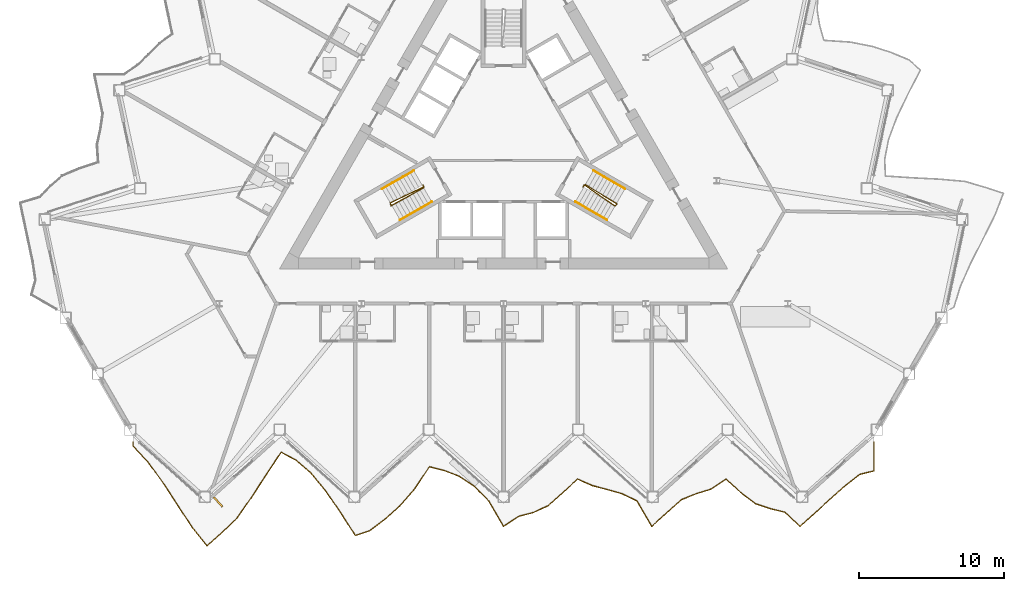
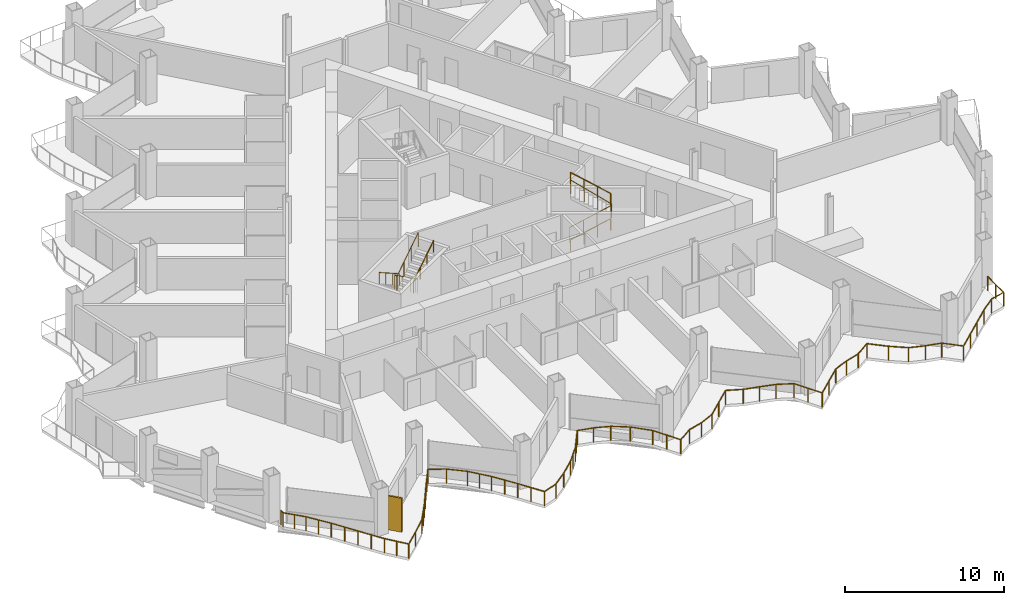
# One storey, part 19 of 23: 7 railings, 1 shading device.
"""IFC4 building model written with IfcOpenShell, lengths in metres."""

from ifc_helpers import new_model, si_unit, direction, frame, origin, origin_2d, place, context, subcontext, project, spatial, rectangle, circle, extrude, material, layer, layer_set, type_object, element, save


model = new_model("IFC4")

# Units and contexts
model_context = context("Model", 3, precision=1e-05, world=origin(), true_north=direction((0.0, 1.0)))
body_context = subcontext(model_context, "Body", "Model", "MODEL_VIEW")
ifc_project = project(units=[si_unit("LENGTHUNIT", "METRE"), si_unit("AREAUNIT", "SQUARE_METRE"), si_unit("VOLUMEUNIT", "CUBIC_METRE"), si_unit("PLANEANGLEUNIT", "RADIAN"), si_unit("MASSUNIT", "GRAM", prefix="KILO")], contexts=[model_context])

# Site, building, storey
site_placement = place(None, origin())
site = spatial("IfcSite", under=ifc_project, at=site_placement, CompositionType="ELEMENT")
building_placement = place(site_placement, origin())
building = spatial("IfcBuilding", under=site, at=building_placement, Name="Cormorant Prow Tower", CompositionType="ELEMENT")
storey_placement = place(building_placement, frame((0.0, 0.0, 187.199951171875)))
storey = spatial("IfcBuildingStorey", under=building, at=storey_placement, Name="L40", CompositionType="ELEMENT", Elevation=187.199951171875)

# Railings
ifc_material_1 = material(Name="Aluminium 6063-T6", Category="aluminium")
railing_type_1 = type_object("IfcRailingType", Name="Balcony guard 1100", PredefinedType="GUARDRAIL", material=ifc_material_1)
railing_1_placement = place(storey_placement, frame((-25.635498046875, -20.921630859375, 0.0)))
element("IfcRailing", 1, at=railing_1_placement, inside=storey, type_object=railing_type_1, Name="Balcony guard S", PredefinedType="GUARDRAIL", context=body_context, shape_type="SweptSolid", body=[
    extrude(circle(Radius=0.02392578125, at=origin_2d()), frame((0.0, 0.0, 1.076171875), z_axis=(0.0, -1.0, 0.0), x_axis=(1.0, 0.0, 0.0)), (0.0, 0.0, 1.0), 0.27001953125),
    extrude(circle(Radius=0.02392578125, at=origin_2d()), frame((0.0, -0.27001953125, 1.076171875), z_axis=(0.681103942477, -0.732186738163, 0.0), x_axis=(0.732186738163, 0.681103942477, 0.0)), (0.0, 0.0, 1.0), 1.50537109375),
    extrude(circle(Radius=0.02392578125, at=origin_2d()), frame((1.025390625, -1.372314453125, 1.076171875), z_axis=(0.588371589744, -0.808590670477, 0.0), x_axis=(0.808590670477, 0.588371589744, 0.0)), (0.0, 0.0, 1.0), 1.74267578125),
    extrude(circle(Radius=0.02392578125, at=origin_2d()), frame((2.05078125, -2.781494140625, 1.076171875), z_axis=(0.545138894856, -0.838345743304, 0.0), x_axis=(0.838345743304, 0.545138894856, 0.0)), (0.0, 0.0, 1.0), 1.880859375),
    extrude(circle(Radius=0.02392578125, at=origin_2d()), frame((3.076171875, -4.3583984375, 1.076171875), z_axis=(0.549977203076, -0.835179666956, 0.0), x_axis=(0.835179666956, 0.549977203076, 0.0)), (0.0, 0.0, 1.0), 1.864501953125),
    extrude(circle(Radius=0.02392578125, at=origin_2d()), frame((4.1015625, -5.91552734375, 1.076171875), z_axis=(0.627898546351, -0.778295198167, 0.0), x_axis=(0.778295198167, 0.627898546351, 0.0)), (0.0, 0.0, 1.0), 1.633056640625),
    extrude(circle(Radius=0.02392578125, at=origin_2d()), frame((5.126953125, -7.1865234375, 1.076171875), z_axis=(0.743197375743, 0.669072238767, 0.0), x_axis=(-0.669072238767, 0.743197375743, 0.0)), (0.0, 0.0, 1.0), 1.380126953125),
    extrude(circle(Radius=0.02392578125, at=origin_2d()), frame((6.152587890625, -6.26318359375, 1.076171875), z_axis=(0.723191339714, 0.690647729427, 0.0), x_axis=(-0.690647729427, 0.723191339714, 0.0)), (0.0, 0.0, 1.0), 1.41796875),
    extrude(circle(Radius=0.02392578125, at=origin_2d()), frame((7.177978515625, -5.283935546875, 1.076171875), z_axis=(0.575649567976, 0.817696505367, 0.0), x_axis=(-0.817696505367, 0.575649567976, 0.0)), (0.0, 0.0, 1.0), 1.78125),
    extrude(circle(Radius=0.02392578125, at=origin_2d()), frame((8.203369140625, -3.827392578125, 1.076171875), z_axis=(0.542303318484, 0.840182784137, 0.0), x_axis=(-0.840182784137, 0.542303318484, 0.0)), (0.0, 0.0, 1.0), 1.890869140625),
    extrude(circle(Radius=0.02392578125, at=origin_2d()), frame((9.228759765625, -2.23876953125, 1.076171875), z_axis=(0.556778734736, 0.83066084568, 0.0), x_axis=(-0.83066084568, 0.556778734736, 0.0)), (0.0, 0.0, 1.0), 1.841552734375),
    extrude(circle(Radius=0.02392578125, at=origin_2d()), frame((10.254150390625, -0.708984375, 1.076171875), z_axis=(0.881654667777, -0.471895165039, 0.0), x_axis=(0.471895165039, 0.881654667777, 0.0)), (0.0, 0.0, 1.0), 1.1630859375),
    extrude(circle(Radius=0.02392578125, at=origin_2d()), frame((11.279541015625, -1.2578125, 1.076171875), z_axis=(0.75568908279, -0.654930538418, 0.0), x_axis=(0.654930538418, 0.75568908279, 0.0)), (0.0, 0.0, 1.0), 1.35693359375),
    extrude(circle(Radius=0.02392578125, at=origin_2d()), frame((12.304931640625, -2.146484375, 1.076171875), z_axis=(0.637791451053, -0.7702091047, 0.0), x_axis=(0.7702091047, 0.637791451053, 0.0)), (0.0, 0.0, 1.0), 1.607666015625),
    extrude(circle(Radius=0.02392578125, at=origin_2d()), frame((13.330322265625, -3.384765625, 1.076171875), z_axis=(0.565055142768, -0.825053141095, 0.0), x_axis=(0.825053141095, 0.565055142768, 0.0)), (0.0, 0.0, 1.0), 1.815185546875),
    extrude(circle(Radius=0.02392578125, at=origin_2d()), frame((14.35595703125, -4.88232421875, 1.076171875), z_axis=(0.541421983834, -0.840750994897, 0.0), x_axis=(0.840750994897, 0.541421983834, 0.0)), (0.0, 0.0, 1.0), 1.893798828125),
    extrude(circle(Radius=0.02392578125, at=origin_2d()), frame((15.38134765625, -6.474609375, 1.076171875), z_axis=(0.946084075397, 0.323921166767, 0.0), x_axis=(-0.323921166767, 0.946084075397, 0.0)), (0.0, 0.0, 1.0), 1.083740234375),
    extrude(circle(Radius=0.02392578125, at=origin_2d()), frame((16.40673828125, -6.12353515625, 1.076171875), z_axis=(0.794610159297, 0.607120000282, 0.0), x_axis=(-0.607120000282, 0.794610159297, 0.0)), (0.0, 0.0, 1.0), 1.29052734375),
    extrude(circle(Radius=0.02392578125, at=origin_2d()), frame((17.43212890625, -5.340087890625, 1.076171875), z_axis=(0.743118165169, 0.669160214445, 0.0), x_axis=(-0.669160214445, 0.743118165169, 0.0)), (0.0, 0.0, 1.0), 1.3798828125),
    extrude(circle(Radius=0.02392578125, at=origin_2d()), frame((18.45751953125, -4.416748046875, 1.076171875), z_axis=(0.659749250302, 0.751485812725, 0.0), x_axis=(-0.751485812725, 0.659749250302, 0.0)), (0.0, 0.0, 1.0), 1.55419921875),
    extrude(circle(Radius=0.02392578125, at=origin_2d()), frame((19.48291015625, -3.248779296875, 1.076171875), z_axis=(0.556288580138, 0.830989178996, 0.0), x_axis=(-0.830989178996, 0.556288580138, 0.0)), (0.0, 0.0, 1.0), 1.84326171875),
    extrude(circle(Radius=0.02392578125, at=origin_2d()), frame((20.50830078125, -1.717041015625, 1.076171875), z_axis=(0.969651629127, -0.244490732201, 0.0), x_axis=(0.244490732201, 0.969651629127, 0.0)), (0.0, 0.0, 1.0), 1.057373046875),
    extrude(circle(Radius=0.02392578125, at=origin_2d()), frame((21.53369140625, -1.9755859375, 1.076171875), z_axis=(0.933894668964, -0.357548244689, 0.0), x_axis=(0.357548244689, 0.933894668964, 0.0)), (0.0, 0.0, 1.0), 1.097900390625),
    extrude(circle(Radius=0.02392578125, at=origin_2d()), frame((22.55908203125, -2.3681640625, 1.076171875), z_axis=(0.834030278815, -0.551718672894, 0.0), x_axis=(0.551718672894, 0.834030278815, 0.0)), (0.0, 0.0, 1.0), 1.229736328125),
    extrude(circle(Radius=0.02392578125, at=origin_2d()), frame((23.584716796875, -3.046630859375, 1.076171875), z_axis=(0.703915232467, -0.710283989332, 0.0), x_axis=(0.710283989332, 0.703915232467, 0.0)), (0.0, 0.0, 1.0), 1.456787109375),
    extrude(circle(Radius=0.02392578125, at=origin_2d()), frame((24.610107421875, -4.081298828125, 1.076171875), z_axis=(0.504445929964, -0.863443283455, 0.0), x_axis=(0.863443283455, 0.504445929964, 0.0)), (0.0, 0.0, 1.0), 2.03271484375),
    extrude(circle(Radius=0.02392578125, at=origin_2d()), frame((25.635498046875, -5.83642578125, 1.076171875), z_axis=(0.831867421138, 0.554974408102, 0.0), x_axis=(-0.554974408102, 0.831867421138, 0.0)), (0.0, 0.0, 1.0), 1.232666015625),
    extrude(circle(Radius=0.02392578125, at=origin_2d()), frame((26.660888671875, -5.15234375, 1.076171875), z_axis=(0.966862485254, 0.255297737178, 0.0), x_axis=(-0.255297737178, 0.966862485254, 0.0)), (0.0, 0.0, 1.0), 1.060546875),
    extrude(circle(Radius=0.02392578125, at=origin_2d()), frame((27.686279296875, -4.881591796875, 1.076171875), z_axis=(0.910818857166, 0.412806261377, 0.0), x_axis=(-0.412806261377, 0.910818857166, 0.0)), (0.0, 0.0, 1.0), 1.1259765625),
    extrude(circle(Radius=0.02392578125, at=origin_2d()), frame((28.7119140625, -4.416748046875, 1.076171875), z_axis=(0.743118165169, 0.669160214445, 0.0), x_axis=(-0.669160214445, 0.743118165169, 0.0)), (0.0, 0.0, 1.0), 1.3798828125),
    extrude(circle(Radius=0.02392578125, at=origin_2d()), frame((29.7373046875, -3.493408203125, 1.076171875), z_axis=(0.743118165169, 0.669160214445, 0.0), x_axis=(-0.669160214445, 0.743118165169, 0.0)), (0.0, 0.0, 1.0), 1.3798828125),
    extrude(circle(Radius=0.02392578125, at=origin_2d()), frame((30.7626953125, -2.570068359375, 1.076171875), z_axis=(0.915154313981, -0.40310368592, 0.0), x_axis=(0.40310368592, 0.915154313981, 0.0)), (0.0, 0.0, 1.0), 1.120361328125),
    extrude(circle(Radius=0.02392578125, at=origin_2d()), frame((31.7880859375, -3.021728515625, 1.076171875), z_axis=(0.96725923768, -0.253790399982, 0.0), x_axis=(0.253790399982, 0.96725923768, 0.0)), (0.0, 0.0, 1.0), 1.06005859375),
    extrude(circle(Radius=0.02392578125, at=origin_2d()), frame((32.8134765625, -3.290771484375, 1.076171875), z_axis=(0.962126726315, -0.272602572456, 0.0), x_axis=(0.272602572456, 0.962126726315, 0.0)), (0.0, 0.0, 1.0), 1.065673828125),
    extrude(circle(Radius=0.02392578125, at=origin_2d()), frame((33.8388671875, -3.581298828125, 1.076171875), z_axis=(0.901020302819, -0.433776917214, 0.0), x_axis=(0.433776917214, 0.901020302819, 0.0)), (0.0, 0.0, 1.0), 1.137939453125),
    extrude(circle(Radius=0.02392578125, at=origin_2d()), frame((34.8642578125, -4.074951171875, 1.076171875), z_axis=(0.503088815692, -0.864234715529, 0.0), x_axis=(0.864234715529, 0.503088815692, 0.0)), (0.0, 0.0, 1.0), 2.0380859375),
    extrude(circle(Radius=0.02392578125, at=origin_2d()), frame((35.8896484375, -5.83642578125, 1.076171875), z_axis=(0.743206151718, 0.669062490392, 0.0), x_axis=(-0.669062490392, 0.743206151718, 0.0)), (0.0, 0.0, 1.0), 1.379638671875),
    extrude(circle(Radius=0.02392578125, at=origin_2d()), frame((36.9150390625, -4.913330078125, 1.076171875), z_axis=(0.743197375743, 0.669072238767, 0.0), x_axis=(-0.669072238767, 0.743197375743, 0.0)), (0.0, 0.0, 1.0), 1.380126953125),
    extrude(circle(Radius=0.02392578125, at=origin_2d()), frame((37.940673828125, -3.989990234375, 1.076171875), z_axis=(0.928095210869, 0.372342959599, 0.0), x_axis=(-0.372342959599, 0.928095210869, 0.0)), (0.0, 0.0, 1.0), 1.104736328125),
    extrude(circle(Radius=0.02392578125, at=origin_2d()), frame((38.966064453125, -3.57861328125, 1.076171875), z_axis=(0.955028616031, 0.296513646501, 0.0), x_axis=(-0.296513646501, 0.955028616031, 0.0)), (0.0, 0.0, 1.0), 1.07373046875),
    extrude(circle(Radius=0.02392578125, at=origin_2d()), frame((39.991455078125, -3.26025390625, 1.076171875), z_axis=(0.829580709455, 0.55838682515, 0.0), x_axis=(-0.55838682515, 0.829580709455, 0.0)), (0.0, 0.0, 1.0), 1.236083984375),
    extrude(circle(Radius=0.02392578125, at=origin_2d()), frame((41.016845703125, -2.570068359375, 1.076171875), z_axis=(0.743118165169, -0.669160214445, 0.0), x_axis=(0.669160214445, 0.743118165169, 0.0)), (0.0, 0.0, 1.0), 1.3798828125),
    extrude(circle(Radius=0.02392578125, at=origin_2d()), frame((42.042236328125, -3.493408203125, 1.076171875), z_axis=(0.798446059556, -0.602066350147, 0.0), x_axis=(0.602066350147, 0.798446059556, 0.0)), (0.0, 0.0, 1.0), 1.2841796875),
    extrude(circle(Radius=0.02392578125, at=origin_2d()), frame((43.067626953125, -4.2666015625, 1.076171875), z_axis=(0.947252842265, -0.320487211633, 0.0), x_axis=(0.320487211633, 0.947252842265, 0.0)), (0.0, 0.0, 1.0), 1.08251953125),
    extrude(circle(Radius=0.02392578125, at=origin_2d()), frame((44.093017578125, -4.613525390625, 1.076171875), z_axis=(0.970629918365, -0.240577558337, 0.0), x_axis=(0.240577558337, 0.970629918365, 0.0)), (0.0, 0.0, 1.0), 1.056396484375),
    extrude(circle(Radius=0.02392578125, at=origin_2d()), frame((45.118408203125, -4.86767578125, 1.076171875), z_axis=(0.726979558122, -0.686659101792, 0.0), x_axis=(0.686659101792, 0.726979558122, 0.0)), (0.0, 0.0, 1.0), 1.410888671875),
    extrude(circle(Radius=0.02392578125, at=origin_2d()), frame((46.14404296875, -5.83642578125, 1.076171875), z_axis=(0.743206151718, 0.669062490392, 0.0), x_axis=(-0.669062490392, 0.743206151718, 0.0)), (0.0, 0.0, 1.0), 1.379638671875),
    extrude(circle(Radius=0.02392578125, at=origin_2d()), frame((47.16943359375, -4.913330078125, 1.076171875), z_axis=(0.743118165169, 0.669160214445, 0.0), x_axis=(-0.669160214445, 0.743118165169, 0.0)), (0.0, 0.0, 1.0), 1.3798828125),
    extrude(circle(Radius=0.02392578125, at=origin_2d()), frame((48.19482421875, -3.989990234375, 1.076171875), z_axis=(0.743118165169, 0.669160214445, 0.0), x_axis=(-0.669160214445, 0.743118165169, 0.0)), (0.0, 0.0, 1.0), 1.3798828125),
    extrude(circle(Radius=0.02392578125, at=origin_2d()), frame((49.22021484375, -3.066650390625, 1.076171875), z_axis=(0.78359163576, 0.621276225496, 0.0), x_axis=(-0.621276225496, 0.78359163576, 0.0)), (0.0, 0.0, 1.0), 1.30859375),
    extrude(circle(Radius=0.02392578125, at=origin_2d()), frame((50.24560546875, -2.253662109375, 1.076171875), z_axis=(0.969596875513, 0.244707782868, 0.0), x_axis=(-0.244707782868, 0.969596875513, 0.0)), (0.0, 0.0, 1.0), 1.0576171875),
    extrude(circle(Radius=0.02392578125, at=origin_2d()), frame((51.27099609375, -1.994873046875, 1.076171875), z_axis=(0.0, 1.0, 0.0), x_axis=(-1.0, 0.0, 0.0)), (0.0, 0.0, 1.0), 1.994873046875),
    extrude(circle(Radius=0.02099609375, at=origin_2d()), origin(), (0.0, 0.0, 1.0), 1.052001953125),
    extrude(circle(Radius=0.02099609375, at=origin_2d()), frame((0.0, -0.27001953125, 0.0)), (0.0, 0.0, 1.0), 1.052001953125),
    extrude(circle(Radius=0.02099609375, at=origin_2d()), frame((0.5126953125, -0.8212890625, 0.0)), (0.0, 0.0, 1.0), 1.052001953125),
    extrude(circle(Radius=0.02099609375, at=origin_2d()), frame((1.025390625, -1.372314453125, 0.0)), (0.0, 0.0, 1.0), 1.052001953125),
    extrude(circle(Radius=0.02099609375, at=origin_2d()), frame((1.5380859375, -2.076904296875, 0.0)), (0.0, 0.0, 1.0), 1.052001953125),
    extrude(circle(Radius=0.02099609375, at=origin_2d()), frame((2.05078125, -2.781494140625, 0.0)), (0.0, 0.0, 1.0), 1.052001953125),
    extrude(circle(Radius=0.02099609375, at=origin_2d()), frame((2.5634765625, -3.56982421875, 0.0)), (0.0, 0.0, 1.0), 1.052001953125),
    extrude(circle(Radius=0.02099609375, at=origin_2d()), frame((3.076171875, -4.3583984375, 0.0)), (0.0, 0.0, 1.0), 1.052001953125),
    extrude(circle(Radius=0.02099609375, at=origin_2d()), frame((3.5888671875, -5.136962890625, 0.0)), (0.0, 0.0, 1.0), 1.052001953125),
    extrude(circle(Radius=0.02099609375, at=origin_2d()), frame((4.1015625, -5.91552734375, 0.0)), (0.0, 0.0, 1.0), 1.052001953125),
    extrude(circle(Radius=0.02099609375, at=origin_2d()), frame((4.6142578125, -6.551025390625, 0.0)), (0.0, 0.0, 1.0), 1.052001953125),
    extrude(circle(Radius=0.02099609375, at=origin_2d()), frame((5.126953125, -7.1865234375, 0.0)), (0.0, 0.0, 1.0), 1.052001953125),
    extrude(circle(Radius=0.02099609375, at=origin_2d()), frame((6.152587890625, -6.26318359375, 0.0)), (0.0, 0.0, 1.0), 1.052001953125),
    extrude(circle(Radius=0.02099609375, at=origin_2d()), frame((7.177978515625, -5.283935546875, 0.0)), (0.0, 0.0, 1.0), 1.052001953125),
    extrude(circle(Radius=0.02099609375, at=origin_2d()), frame((7.690673828125, -4.5556640625, 0.0)), (0.0, 0.0, 1.0), 1.052001953125),
    extrude(circle(Radius=0.02099609375, at=origin_2d()), frame((8.203369140625, -3.827392578125, 0.0)), (0.0, 0.0, 1.0), 1.052001953125),
    extrude(circle(Radius=0.02099609375, at=origin_2d()), frame((8.716064453125, -3.033203125, 0.0)), (0.0, 0.0, 1.0), 1.052001953125),
    extrude(circle(Radius=0.02099609375, at=origin_2d()), frame((9.228759765625, -2.23876953125, 0.0)), (0.0, 0.0, 1.0), 1.052001953125),
    extrude(circle(Radius=0.02099609375, at=origin_2d()), frame((9.741455078125, -1.473876953125, 0.0)), (0.0, 0.0, 1.0), 1.052001953125),
    extrude(circle(Radius=0.02099609375, at=origin_2d()), frame((10.254150390625, -0.708984375, 0.0)), (0.0, 0.0, 1.0), 1.052001953125),
    extrude(circle(Radius=0.02099609375, at=origin_2d()), frame((11.279541015625, -1.2578125, 0.0)), (0.0, 0.0, 1.0), 1.052001953125),
    extrude(circle(Radius=0.02099609375, at=origin_2d()), frame((12.304931640625, -2.146484375, 0.0)), (0.0, 0.0, 1.0), 1.052001953125),
    extrude(circle(Radius=0.02099609375, at=origin_2d()), frame((12.817626953125, -2.765625, 0.0)), (0.0, 0.0, 1.0), 1.052001953125),
    extrude(circle(Radius=0.02099609375, at=origin_2d()), frame((13.330322265625, -3.384765625, 0.0)), (0.0, 0.0, 1.0), 1.052001953125),
    extrude(circle(Radius=0.02099609375, at=origin_2d()), frame((13.84326171875, -4.133544921875, 0.0)), (0.0, 0.0, 1.0), 1.052001953125),
    extrude(circle(Radius=0.02099609375, at=origin_2d()), frame((14.35595703125, -4.88232421875, 0.0)), (0.0, 0.0, 1.0), 1.052001953125),
    extrude(circle(Radius=0.02099609375, at=origin_2d()), frame((14.86865234375, -5.678466796875, 0.0)), (0.0, 0.0, 1.0), 1.052001953125),
    extrude(circle(Radius=0.02099609375, at=origin_2d()), frame((15.38134765625, -6.474609375, 0.0)), (0.0, 0.0, 1.0), 1.052001953125),
    extrude(circle(Radius=0.02099609375, at=origin_2d()), frame((16.40673828125, -6.12353515625, 0.0)), (0.0, 0.0, 1.0), 1.052001953125),
    extrude(circle(Radius=0.02099609375, at=origin_2d()), frame((17.43212890625, -5.340087890625, 0.0)), (0.0, 0.0, 1.0), 1.052001953125),
    extrude(circle(Radius=0.02099609375, at=origin_2d()), frame((18.45751953125, -4.416748046875, 0.0)), (0.0, 0.0, 1.0), 1.052001953125),
    extrude(circle(Radius=0.02099609375, at=origin_2d()), frame((18.97021484375, -3.832763671875, 0.0)), (0.0, 0.0, 1.0), 1.052001953125),
    extrude(circle(Radius=0.02099609375, at=origin_2d()), frame((19.48291015625, -3.248779296875, 0.0)), (0.0, 0.0, 1.0), 1.052001953125),
    extrude(circle(Radius=0.02099609375, at=origin_2d()), frame((19.99560546875, -2.48291015625, 0.0)), (0.0, 0.0, 1.0), 1.052001953125),
    extrude(circle(Radius=0.02099609375, at=origin_2d()), frame((20.50830078125, -1.717041015625, 0.0)), (0.0, 0.0, 1.0), 1.052001953125),
    extrude(circle(Radius=0.02099609375, at=origin_2d()), frame((21.53369140625, -1.9755859375, 0.0)), (0.0, 0.0, 1.0), 1.052001953125),
    extrude(circle(Radius=0.02099609375, at=origin_2d()), frame((22.55908203125, -2.3681640625, 0.0)), (0.0, 0.0, 1.0), 1.052001953125),
    extrude(circle(Radius=0.02099609375, at=origin_2d()), frame((23.584716796875, -3.046630859375, 0.0)), (0.0, 0.0, 1.0), 1.052001953125),
    extrude(circle(Radius=0.02099609375, at=origin_2d()), frame((24.610107421875, -4.081298828125, 0.0)), (0.0, 0.0, 1.0), 1.052001953125),
    extrude(circle(Radius=0.02099609375, at=origin_2d()), frame((25.122802734375, -4.958984375, 0.0)), (0.0, 0.0, 1.0), 1.052001953125),
    extrude(circle(Radius=0.02099609375, at=origin_2d()), frame((25.635498046875, -5.83642578125, 0.0)), (0.0, 0.0, 1.0), 1.052001953125),
    extrude(circle(Radius=0.02099609375, at=origin_2d()), frame((26.660888671875, -5.15234375, 0.0)), (0.0, 0.0, 1.0), 1.052001953125),
    extrude(circle(Radius=0.02099609375, at=origin_2d()), frame((27.686279296875, -4.881591796875, 0.0)), (0.0, 0.0, 1.0), 1.052001953125),
    extrude(circle(Radius=0.02099609375, at=origin_2d()), frame((28.7119140625, -4.416748046875, 0.0)), (0.0, 0.0, 1.0), 1.052001953125),
    extrude(circle(Radius=0.02099609375, at=origin_2d()), frame((29.7373046875, -3.493408203125, 0.0)), (0.0, 0.0, 1.0), 1.052001953125),
    extrude(circle(Radius=0.02099609375, at=origin_2d()), frame((30.7626953125, -2.570068359375, 0.0)), (0.0, 0.0, 1.0), 1.052001953125),
    extrude(circle(Radius=0.02099609375, at=origin_2d()), frame((31.7880859375, -3.021728515625, 0.0)), (0.0, 0.0, 1.0), 1.052001953125),
    extrude(circle(Radius=0.02099609375, at=origin_2d()), frame((32.8134765625, -3.290771484375, 0.0)), (0.0, 0.0, 1.0), 1.052001953125),
    extrude(circle(Radius=0.02099609375, at=origin_2d()), frame((33.8388671875, -3.581298828125, 0.0)), (0.0, 0.0, 1.0), 1.052001953125),
    extrude(circle(Radius=0.02099609375, at=origin_2d()), frame((34.8642578125, -4.074951171875, 0.0)), (0.0, 0.0, 1.0), 1.052001953125),
    extrude(circle(Radius=0.02099609375, at=origin_2d()), frame((35.376953125, -4.95556640625, 0.0)), (0.0, 0.0, 1.0), 1.052001953125),
    extrude(circle(Radius=0.02099609375, at=origin_2d()), frame((35.8896484375, -5.83642578125, 0.0)), (0.0, 0.0, 1.0), 1.052001953125),
    extrude(circle(Radius=0.02099609375, at=origin_2d()), frame((36.9150390625, -4.913330078125, 0.0)), (0.0, 0.0, 1.0), 1.052001953125),
    extrude(circle(Radius=0.02099609375, at=origin_2d()), frame((37.940673828125, -3.989990234375, 0.0)), (0.0, 0.0, 1.0), 1.052001953125),
    extrude(circle(Radius=0.02099609375, at=origin_2d()), frame((38.966064453125, -3.57861328125, 0.0)), (0.0, 0.0, 1.0), 1.052001953125),
    extrude(circle(Radius=0.02099609375, at=origin_2d()), frame((39.991455078125, -3.26025390625, 0.0)), (0.0, 0.0, 1.0), 1.052001953125),
    extrude(circle(Radius=0.02099609375, at=origin_2d()), frame((41.016845703125, -2.570068359375, 0.0)), (0.0, 0.0, 1.0), 1.052001953125),
    extrude(circle(Radius=0.02099609375, at=origin_2d()), frame((42.042236328125, -3.493408203125, 0.0)), (0.0, 0.0, 1.0), 1.052001953125),
    extrude(circle(Radius=0.02099609375, at=origin_2d()), frame((43.067626953125, -4.2666015625, 0.0)), (0.0, 0.0, 1.0), 1.052001953125),
    extrude(circle(Radius=0.02099609375, at=origin_2d()), frame((44.093017578125, -4.613525390625, 0.0)), (0.0, 0.0, 1.0), 1.052001953125),
    extrude(circle(Radius=0.02099609375, at=origin_2d()), frame((45.118408203125, -4.86767578125, 0.0)), (0.0, 0.0, 1.0), 1.052001953125),
    extrude(circle(Radius=0.02099609375, at=origin_2d()), frame((46.14404296875, -5.83642578125, 0.0)), (0.0, 0.0, 1.0), 1.052001953125),
    extrude(circle(Radius=0.02099609375, at=origin_2d()), frame((47.16943359375, -4.913330078125, 0.0)), (0.0, 0.0, 1.0), 1.052001953125),
    extrude(circle(Radius=0.02099609375, at=origin_2d()), frame((48.19482421875, -3.989990234375, 0.0)), (0.0, 0.0, 1.0), 1.052001953125),
    extrude(circle(Radius=0.02099609375, at=origin_2d()), frame((49.22021484375, -3.066650390625, 0.0)), (0.0, 0.0, 1.0), 1.052001953125),
    extrude(circle(Radius=0.02099609375, at=origin_2d()), frame((50.24560546875, -2.253662109375, 0.0)), (0.0, 0.0, 1.0), 1.052001953125),
    extrude(circle(Radius=0.02099609375, at=origin_2d()), frame((51.27099609375, -1.994873046875, 0.0)), (0.0, 0.0, 1.0), 1.052001953125),
    extrude(circle(Radius=0.02099609375, at=origin_2d()), frame((51.27099609375, -0.99755859375, 0.0)), (0.0, 0.0, 1.0), 1.052001953125),
    extrude(circle(Radius=0.02099609375, at=origin_2d()), frame((51.27099609375, 0.0, 0.0)), (0.0, 0.0, 1.0), 1.052001953125),
])
ifc_material_2 = material(Name="Stainless steel", Category="steel")
railing_type_2 = type_object("IfcRailingType", Name="Stair guard 1100", PredefinedType="GUARDRAIL", material=ifc_material_2)
railing_2_placement = place(storey_placement, frame((-5.585205078125, -3.137939453125, 0.0)))
element("IfcRailing", 2, at=railing_2_placement, inside=storey, type_object=railing_type_2, Name="L40 ST1 stair guard 1", PredefinedType="GUARDRAIL", context=body_context, shape_type="SweptSolid", body=[
    extrude(circle(Radius=0.02392578125, at=origin_2d()), frame((0.0, 0.0, 1.076171875), z_axis=(0.501036270542, -0.865426285481, 0.0), x_axis=(0.865426285481, 0.501036270542, 0.0)), (0.0, 0.0, 1.0), 0.150146484375),
    extrude(circle(Radius=0.02392578125, at=origin_2d()), frame((0.0751953125, -0.1298828125, 1.076171875), z_axis=(-0.739707038506, -0.353624380995, 0.572523619033), x_axis=(0.431308035802, -0.902204731895, 0.0)), (0.0, 0.0, 1.0), 3.14404296875),
    extrude(circle(Radius=0.02392578125, at=origin_2d()), frame((-2.25048828125, -1.24169921875, 2.8759765625), z_axis=(0.274721127897, -0.961523947641, 0.0), x_axis=(0.961523947641, 0.274721127897, 0.0)), (0.0, 0.0, 1.0), 0.2060546875),
    extrude(circle(Radius=0.02392578125, at=origin_2d()), frame((-2.19384765625, -1.43994140625, 2.8759765625), z_axis=(0.717223475266, 0.39568267656, 0.573607623727), x_axis=(-0.483052234887, 0.87559153626, 0.0)), (0.0, 0.0, 1.0), 3.13818359375),
    extrude(circle(Radius=0.02099609375, at=origin_2d()), origin(), (0.0, 0.0, 1.0), 1.052001953125),
    extrude(circle(Radius=0.02099609375, at=origin_2d()), frame((0.0751953125, -0.1298828125, 0.0)), (0.0, 0.0, 1.0), 1.052001953125),
    extrude(circle(Radius=0.02099609375, at=origin_2d()), frame((-0.699951171875, -0.50048828125, 0.60009765625)), (0.0, 0.0, 1.0), 1.052001953125),
    extrude(circle(Radius=0.02099609375, at=origin_2d()), frame((-1.475341796875, -0.87109375, 1.199951171875)), (0.0, 0.0, 1.0), 1.052001953125),
    extrude(circle(Radius=0.02099609375, at=origin_2d()), frame((-2.25048828125, -1.24169921875, 1.800048828125)), (0.0, 0.0, 1.0), 1.052001953125),
    extrude(circle(Radius=0.02099609375, at=origin_2d()), frame((-2.19384765625, -1.43994140625, 1.800048828125)), (0.0, 0.0, 1.0), 1.052001953125),
    extrude(circle(Radius=0.02099609375, at=origin_2d()), frame((-1.443603515625, -1.026123046875, 2.400146484375)), (0.0, 0.0, 1.0), 1.052001953125),
    extrude(circle(Radius=0.02099609375, at=origin_2d()), frame((-0.693359375, -0.612060546875, 3.0)), (0.0, 0.0, 1.0), 1.052001953125),
    extrude(circle(Radius=0.02099609375, at=origin_2d()), frame((0.056884765625, -0.1982421875, 3.60009765625)), (0.0, 0.0, 1.0), 1.052001953125),
])
railing_3_placement = place(storey_placement, frame((5.510009765625, -3.267822265625, 0.0)))
element("IfcRailing", 3, at=railing_3_placement, inside=storey, type_object=railing_type_2, Name="L40 ST2 stair guard 1", PredefinedType="GUARDRAIL", context=body_context, shape_type="SweptSolid", body=[
    extrude(circle(Radius=0.02392578125, at=origin_2d()), frame((0.0, 0.0, 1.076171875), z_axis=(0.501036270542, 0.865426285481, 0.0), x_axis=(-0.865426285481, 0.501036270542, 0.0)), (0.0, 0.0, 1.0), 0.150146484375),
    extrude(circle(Radius=0.02392578125, at=origin_2d()), frame((0.0751953125, 0.1298828125, 1.076171875), z_axis=(0.676058237057, -0.463829066155, 0.572545070276), x_axis=(0.565732651216, 0.824588726183, 0.0)), (0.0, 0.0, 1.0), 3.14404296875),
    extrude(circle(Radius=0.02392578125, at=origin_2d()), frame((2.20068359375, -1.328369140625, 2.8759765625), z_axis=(0.695164929852, 0.718850276695, 0.0), x_axis=(-0.718850276695, 0.695164929852, 0.0)), (0.0, 0.0, 1.0), 0.2060546875),
    extrude(circle(Radius=0.02392578125, at=origin_2d()), frame((2.343994140625, -1.18017578125, 2.8759765625), z_axis=(-0.70127624584, 0.423301980654, 0.573608804147), x_axis=(-0.516770599887, -0.856123908726, 0.0)), (0.0, 0.0, 1.0), 3.13818359375),
    extrude(circle(Radius=0.02099609375, at=origin_2d()), origin(), (0.0, 0.0, 1.0), 1.052001953125),
    extrude(circle(Radius=0.02099609375, at=origin_2d()), frame((0.0751953125, 0.1298828125, 0.0)), (0.0, 0.0, 1.0), 1.052001953125),
    extrude(circle(Radius=0.02099609375, at=origin_2d()), frame((0.78369140625, -0.356201171875, 0.60009765625)), (0.0, 0.0, 1.0), 1.052001953125),
    extrude(circle(Radius=0.02099609375, at=origin_2d()), frame((1.4921875, -0.84228515625, 1.199951171875)), (0.0, 0.0, 1.0), 1.052001953125),
    extrude(circle(Radius=0.02099609375, at=origin_2d()), frame((2.20068359375, -1.328369140625, 1.800048828125)), (0.0, 0.0, 1.0), 1.052001953125),
    extrude(circle(Radius=0.02099609375, at=origin_2d()), frame((2.343994140625, -1.18017578125, 1.800048828125)), (0.0, 0.0, 1.0), 1.052001953125),
    extrude(circle(Radius=0.02099609375, at=origin_2d()), frame((1.6103515625, -0.7373046875, 2.400146484375)), (0.0, 0.0, 1.0), 1.052001953125),
    extrude(circle(Radius=0.02099609375, at=origin_2d()), frame((0.876953125, -0.294677734375, 3.0)), (0.0, 0.0, 1.0), 1.052001953125),
    extrude(circle(Radius=0.02099609375, at=origin_2d()), frame((0.143310546875, 0.148193359375, 3.60009765625)), (0.0, 0.0, 1.0), 1.052001953125),
])
ifc_material_3 = material(Name="Stainless steel", Category="steel")
railing_type_3 = type_object("IfcRailingType", Name="Stair handrail 900", PredefinedType="HANDRAIL", material=ifc_material_3)
railing_4_placement = place(storey_placement, frame((-6.212890625, -2.150634765625, 0.179931640625)))
element("IfcRailing", 4, at=railing_4_placement, inside=storey, type_object=railing_type_3, Name="L40 ST1 stair handrail 1", PredefinedType="HANDRAIL", context=body_context, shape_type="SweptSolid", body=[
    extrude(circle(Radius=0.02392578125, at=origin_2d()), frame((0.0, 0.0, 0.8759765625), z_axis=(-0.728463801763, -0.420584145978, 0.540785970299), x_axis=(0.500004791531, -0.866022637375, 0.0)), (0.0, 0.0, 1.0), 2.995849609375),
    extrude(circle(Radius=0.02099609375, at=origin_2d()), origin(), (0.0, 0.0, 1.0), 0.851806640625),
    extrude(circle(Radius=0.02099609375, at=origin_2d()), frame((-0.7275390625, -0.419921875, 0.5400390625)), (0.0, 0.0, 1.0), 0.851806640625),
    extrude(circle(Radius=0.02099609375, at=origin_2d()), frame((-1.454833984375, -0.840087890625, 1.080078125)), (0.0, 0.0, 1.0), 0.851806640625),
    extrude(circle(Radius=0.02099609375, at=origin_2d()), frame((-2.182373046875, -1.260009765625, 1.6201171875)), (0.0, 0.0, 1.0), 0.851806640625),
])
railing_5_placement = place(storey_placement, frame((-7.1513671875, -5.565185546875, 1.97998046875)))
element("IfcRailing", 5, at=railing_5_placement, inside=storey, type_object=railing_type_3, Name="L40 ST1 stair handrail 2", PredefinedType="HANDRAIL", context=body_context, shape_type="SweptSolid", body=[
    extrude(circle(Radius=0.02392578125, at=origin_2d()), frame((0.0, 0.0, 0.8759765625), z_axis=(0.728463801763, 0.420584145978, 0.540785970299), x_axis=(-0.500004791531, 0.866022637375, 0.0)), (0.0, 0.0, 1.0), 2.995849609375),
    extrude(circle(Radius=0.02099609375, at=origin_2d()), origin(), (0.0, 0.0, 1.0), 0.851806640625),
    extrude(circle(Radius=0.02099609375, at=origin_2d()), frame((0.7275390625, 0.419921875, 0.5400390625)), (0.0, 0.0, 1.0), 0.851806640625),
    extrude(circle(Radius=0.02099609375, at=origin_2d()), frame((1.454833984375, 0.840087890625, 1.080078125)), (0.0, 0.0, 1.0), 0.851806640625),
    extrude(circle(Radius=0.02099609375, at=origin_2d()), frame((2.182373046875, 1.260009765625, 1.6201171875)), (0.0, 0.0, 1.0), 0.851806640625),
])
railing_6_placement = place(storey_placement, frame((4.968994140625, -4.30517578125, 0.179931640625)))
element("IfcRailing", 6, at=railing_6_placement, inside=storey, type_object=railing_type_3, Name="L40 ST2 stair handrail 1", PredefinedType="HANDRAIL", context=body_context, shape_type="SweptSolid", body=[
    extrude(circle(Radius=0.02392578125, at=origin_2d()), frame((0.0, 0.0, 0.8759765625), z_axis=(0.728463801763, -0.420584145978, 0.540785970299), x_axis=(0.500004791531, 0.866022637375, 0.0)), (0.0, 0.0, 1.0), 2.995849609375),
    extrude(circle(Radius=0.02099609375, at=origin_2d()), origin(), (0.0, 0.0, 1.0), 0.851806640625),
    extrude(circle(Radius=0.02099609375, at=origin_2d()), frame((0.7275390625, -0.419921875, 0.5400390625)), (0.0, 0.0, 1.0), 0.851806640625),
    extrude(circle(Radius=0.02099609375, at=origin_2d()), frame((1.454833984375, -0.840087890625, 1.080078125)), (0.0, 0.0, 1.0), 0.851806640625),
    extrude(circle(Radius=0.02099609375, at=origin_2d()), frame((2.182373046875, -1.260009765625, 1.6201171875)), (0.0, 0.0, 1.0), 0.851806640625),
])
railing_7_placement = place(storey_placement, frame((8.395263671875, -3.41064453125, 1.97998046875)))
element("IfcRailing", 7, at=railing_7_placement, inside=storey, type_object=railing_type_3, Name="L40 ST2 stair handrail 2", PredefinedType="HANDRAIL", context=body_context, shape_type="SweptSolid", body=[
    extrude(circle(Radius=0.02392578125, at=origin_2d()), frame((0.0, 0.0, 0.8759765625), z_axis=(-0.728463801763, 0.420584145978, 0.540785970299), x_axis=(-0.500004791531, -0.866022637375, 0.0)), (0.0, 0.0, 1.0), 2.995849609375),
    extrude(circle(Radius=0.02099609375, at=origin_2d()), origin(), (0.0, 0.0, 1.0), 0.851806640625),
    extrude(circle(Radius=0.02099609375, at=origin_2d()), frame((-0.7275390625, 0.419921875, 0.5400390625)), (0.0, 0.0, 1.0), 0.851806640625),
    extrude(circle(Radius=0.02099609375, at=origin_2d()), frame((-1.454833984375, 0.840087890625, 1.080078125)), (0.0, 0.0, 1.0), 0.851806640625),
    extrude(circle(Radius=0.02099609375, at=origin_2d()), frame((-2.182373046875, 1.260009765625, 1.6201171875)), (0.0, 0.0, 1.0), 0.851806640625),
])

# Shading device
ifc_material_4 = material(Name="Terracotta", Category="masonry")
ifc_layer = layer(ifc_material_4, 0.1201171875)
ifc_layer_set = layer_set([ifc_layer], Name="Terracotta")
shading_device_type = type_object("IfcShadingDeviceType", Name="Terracotta baguette fin 120x900x2600", PredefinedType="USERDEFINED", material=ifc_layer_set)
shading_device_placement = place(storey_placement, frame((-19.74072265625, -25.072265625, 0.0), z_axis=(0.0, 0.0, 1.0), x_axis=(0.743144845716, 0.669130583881, 0.0)))
element("IfcShadingDevice", 8, at=shading_device_placement, inside=storey, type_object=shading_device_type, Name="Baguette fin S01", ObjectType="BAGUETTE", PredefinedType="USERDEFINED", context=body_context, shape_type="SweptSolid", body=[
    extrude(rectangle(XDim=0.1201171875, YDim=0.89990234375, at=origin_2d()), origin(), (0.0, 0.0, 1.0), 2.60009765625),
])

save(model, "model.ifc")
